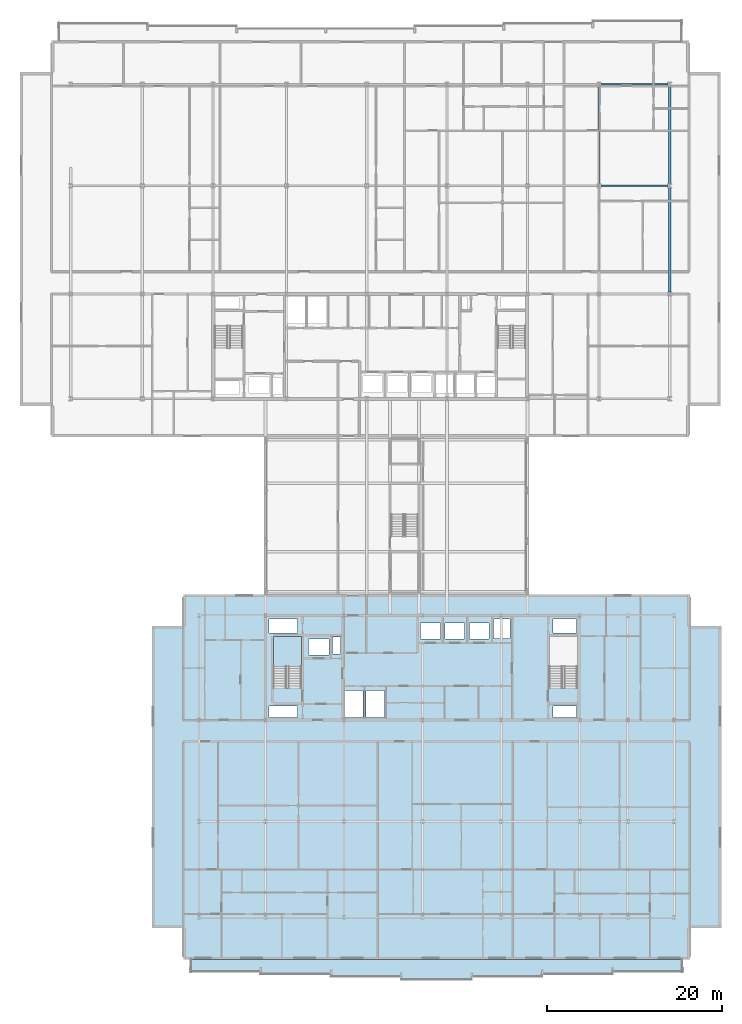
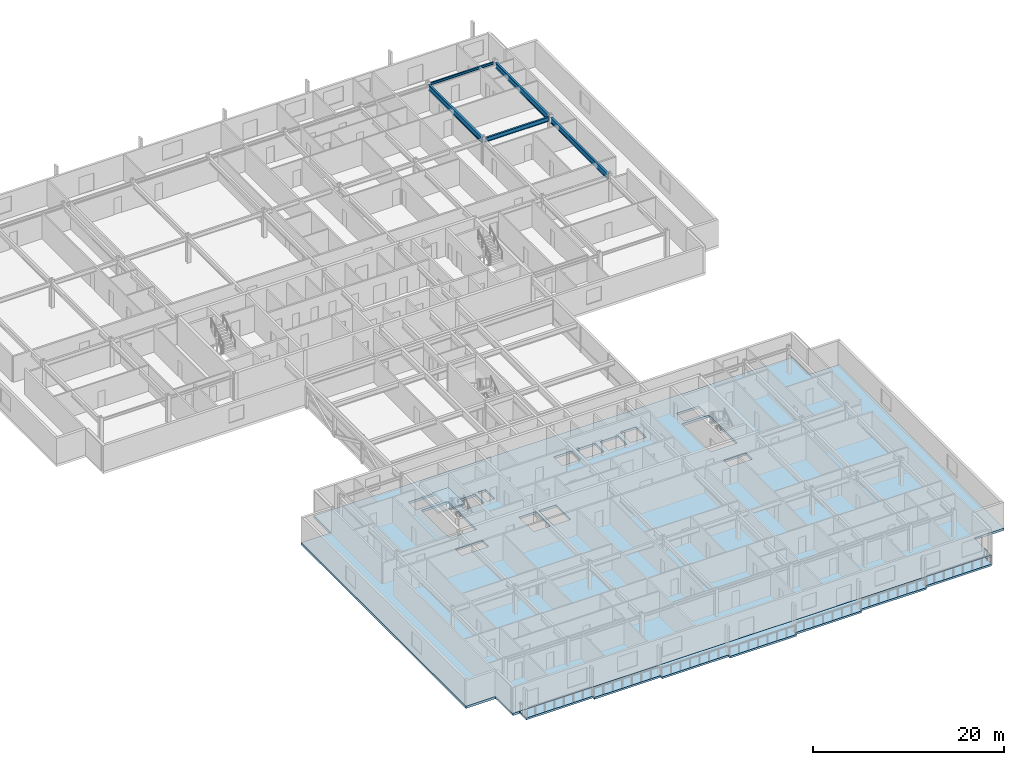
# One storey, part 14 of 36: 5 beams, 3 slabs, 1 element without a shape of its own.
"""IFC4 building model written with IfcOpenShell, lengths in metres."""

from ifc_helpers import new_model, si_unit, direction, frame, origin, origin_2d, place, context, subcontext, project, spatial, polyline, i_section, outline, extrude, material, layer, layer_set, material_profile, profile_set, type_object, element, aggregate, save


model = new_model("IFC4")

# Units and contexts
model_context = context("Model", 3, precision=1e-05, world=origin(), true_north=direction((0.0, 1.0)))
body_context = subcontext(model_context, "Body", "Model", "MODEL_VIEW")
ifc_project = project(units=[si_unit("LENGTHUNIT", "METRE"), si_unit("AREAUNIT", "SQUARE_METRE"), si_unit("VOLUMEUNIT", "CUBIC_METRE"), si_unit("PLANEANGLEUNIT", "RADIAN"), si_unit("MASSUNIT", "GRAM", prefix="KILO")], contexts=[model_context])

# Site, building, storey
site_placement = place(None, origin())
site = spatial("IfcSite", under=ifc_project, at=site_placement, CompositionType="ELEMENT")
building_placement = place(site_placement, origin())
building = spatial("IfcBuilding", under=site, at=building_placement, Name="Korimba Cascade Residences", CompositionType="ELEMENT")
storey_placement = place(building_placement, frame((0.0, 0.0, 139.300048828125)))
storey = spatial("IfcBuildingStorey", under=building, at=storey_placement, Name="L40", CompositionType="ELEMENT", Elevation=139.300048828125)

# Beams
ifc_material_1 = material(Name="Steel S355", Category="steel")
ifc_material_profile_1 = material_profile(ifc_material_1, i_section(OverallWidth=0.165771484375, OverallDepth=0.306640625, WebThickness=0.006591796875, FlangeThickness=0.01171875, FilletRadius=0.0087890625, at=origin_2d()), Name="Steel S355")
ifc_profile_set_1 = profile_set([ifc_material_profile_1], Name="Steel S355")
beam_type_1 = type_object("IfcBeamType", Name="BM-STL-UB305", PredefinedType="SPANDREL", material=ifc_profile_set_1)
beam_1_placement = place(storey_placement, frame((120.506103515625, 91.199951171875, 3.15673828125), z_axis=(1.0, 0.0, 0.0), x_axis=(0.0, 1.0, 0.0)))
element("IfcBeam", 1, at=beam_1_placement, inside=storey, type_object=beam_type_1, Name="L40 T1 E-W Girder Y4 Bay 8", PredefinedType="SPANDREL", context=body_context, shape_type="SweptSolid", body=[
    extrude(i_section(OverallWidth=0.165771484375, OverallDepth=0.306640625, WebThickness=0.006591796875, FlangeThickness=0.01171875, FilletRadius=0.0087890625, at=origin_2d()), origin(), (0.0, 0.0, 1.0), 7.687744140625),
])
ifc_material_profile_2 = material_profile(ifc_material_1, i_section(OverallWidth=0.2099609375, OverallDepth=0.53662109375, WebThickness=0.0107421875, FlangeThickness=0.017333984375, FilletRadius=0.0126953125, at=origin_2d()), Name="Steel S355")
ifc_profile_set_2 = profile_set([ifc_material_profile_2], Name="Steel S355")
beam_type_2 = type_object("IfcBeamType", Name="BM-STL-UB533", PredefinedType="BEAM", material=ifc_profile_set_2)
beam_2_placement = place(storey_placement, frame((120.506103515625, 79.60009765625, 3.041748046875), z_axis=(1.0, 0.0, 0.0), x_axis=(0.0, 1.0, 0.0)))
element("IfcBeam", 2, at=beam_2_placement, inside=storey, type_object=beam_type_2, Name="L40 T1 E-W Girder Y3 Bay 8", PredefinedType="BEAM", context=body_context, shape_type="SweptSolid", body=[
    extrude(i_section(OverallWidth=0.2099609375, OverallDepth=0.53662109375, WebThickness=0.0107421875, FlangeThickness=0.017333984375, FilletRadius=0.0126953125, at=origin_2d()), origin(), (0.0, 0.0, 1.0), 7.687744140625),
])
ifc_material_profile_3 = material_profile(ifc_material_1, i_section(OverallWidth=0.255859375, OverallDepth=0.69287109375, WebThickness=0.014404296875, FlangeThickness=0.023681640625, FilletRadius=0.01513671875, at=origin_2d()), Name="Steel S355")
ifc_profile_set_3 = profile_set([ifc_material_profile_3], Name="Steel S355")
beam_type_3 = type_object("IfcBeamType", Name="BM-STL-UB686", PredefinedType="BEAM", material=ifc_profile_set_3)
beam_3_placement = place(storey_placement, frame((120.300048828125, 79.818359375, 2.963623046875), z_axis=(0.0, 1.0, 0.0), x_axis=(-1.0, 0.0, 0.0)))
element("IfcBeam", 3, at=beam_3_placement, inside=storey, type_object=beam_type_3, Name="L40 T1 N-S Girder X8 Seg 3", PredefinedType="BEAM", context=body_context, shape_type="SweptSolid", body=[
    extrude(i_section(OverallWidth=0.255859375, OverallDepth=0.69287109375, WebThickness=0.014404296875, FlangeThickness=0.023681640625, FilletRadius=0.01513671875, at=origin_2d()), origin(), (0.0, 0.0, 1.0), 11.163330078125),
])
beam_4_placement = place(storey_placement, frame((128.39990234375, 67.418212890625, 2.963623046875), z_axis=(0.0, 1.0, 0.0), x_axis=(-1.0, 0.0, 0.0)))
element("IfcBeam", 4, at=beam_4_placement, inside=storey, type_object=beam_type_3, Name="L40 T1 N-S Girder X9 Seg 2", PredefinedType="BEAM", context=body_context, shape_type="SweptSolid", body=[
    extrude(i_section(OverallWidth=0.255859375, OverallDepth=0.69287109375, WebThickness=0.014404296875, FlangeThickness=0.023681640625, FilletRadius=0.01513671875, at=origin_2d()), origin(), (0.0, 0.0, 1.0), 11.96337890625),
])
beam_5_placement = place(storey_placement, frame((128.39990234375, 79.818359375, 2.963623046875), z_axis=(0.0, 1.0, 0.0), x_axis=(-1.0, 0.0, 0.0)))
element("IfcBeam", 5, at=beam_5_placement, inside=storey, type_object=beam_type_3, Name="L40 T1 N-S Girder X9 Seg 3", PredefinedType="BEAM", context=body_context, shape_type="SweptSolid", body=[
    extrude(i_section(OverallWidth=0.255859375, OverallDepth=0.69287109375, WebThickness=0.014404296875, FlangeThickness=0.023681640625, FilletRadius=0.01513671875, at=origin_2d()), origin(), (0.0, 0.0, 1.0), 11.163330078125),
])

# Stair, slab
ifc_material_2 = material(Name="Concrete C50/60", Category="concrete")
stair_type = type_object("IfcStairType", Name="STR-E1-20R-1800", PredefinedType="HALF_TURN_STAIR", material=ifc_material_2)
stair_placement = place(storey_placement, origin())
stair = element("IfcStair", 6, at=stair_placement, inside=storey, type_object=stair_type, Name="L40 Tower 2 West Fire Stair ST-E1", PredefinedType="HALF_TURN_STAIR")
ifc_layer_1 = layer(ifc_material_2, 0.199951171875)
ifc_layer_set_1 = layer_set([ifc_layer_1], Name="Concrete C50/60")
slab_type_1 = type_object("IfcSlabType", Name="SLB-LND-220", PredefinedType="LANDING", material=ifc_layer_set_1)
slab_1_placement = place(storey_placement, frame((0.0, 0.0, 1.599853515625)))
slab_1 = element("IfcSlab", 7, at=slab_1_placement, type_object=slab_type_1, Name="ST-E1 landing 1", PredefinedType="LANDING", context=body_context, shape_type="SweptSolid", body=[
    extrude(outline(polyline([(86.239990234375, 24.570068359375), (86.239990234375, 28.0), (83.0, 28.0), (83.0, 24.570068359375), (86.239990234375, 24.570068359375)])), origin(), (0.0, 0.0, 1.0), 0.2001953125),
])
aggregate(stair, [slab_1])

# Slabs
ifc_material_3 = material(Name="Precast concrete C40/50", Category="concrete")
ifc_layer_2 = layer(ifc_material_3, 0.239990234375)
ifc_layer_set_2 = layer_set([ifc_layer_2], Name="Precast concrete C40/50")
slab_type_2 = type_object("IfcSlabType", Name="SLB-LOG-240", PredefinedType="FLOOR", material=ifc_layer_set_2)
slab_2_placement = place(storey_placement, frame((0.0, 0.0, -0.239990234375)))
element("IfcSlab", 8, at=slab_2_placement, inside=storey, type_object=slab_type_2, Name="L40 Tower 2 South Loggia Slab", PredefinedType="FLOOR", context=body_context, shape_type="SweptSolid", body=[
    extrude(outline(polyline([(73.5, -10.449951171875), (81.55712890625, -10.449951171875), (81.55712890625, -10.75), (89.6142578125, -10.75), (89.6142578125, -11.050048828125), (97.67138671875, -11.050048828125), (97.67138671875, -11.35009765625), (105.728515625, -11.35009765625), (105.728515625, -11.050048828125), (113.78564453125, -11.050048828125), (113.78564453125, -10.75), (121.843017578125, -10.75), (121.843017578125, -10.449951171875), (129.89990234375, -10.449951171875), (129.89990234375, -9.0), (73.5, -9.0), (73.5, -10.449951171875)])), origin(), (0.0, 0.0, 1.0), 0.239990234375),
])
ifc_layer_3 = layer(ifc_material_2, 0.280029296875)
ifc_layer_set_3 = layer_set([ifc_layer_3], Name="Concrete C50/60")
slab_type_3 = type_object("IfcSlabType", Name="SLB-TYP-280", PredefinedType="FLOOR", material=ifc_layer_set_3)
slab_3_placement = place(storey_placement, frame((0.0, 0.0, -0.2900390625)))
element("IfcSlab", 9, at=slab_3_placement, inside=storey, type_object=slab_type_3, Name="L40 Tower 2 Floor Slab", PredefinedType="FLOOR", context=body_context, shape_type="SweptSolid", body=[
    extrude(outline(polyline([(72.699951171875, -9.0), (130.699951171875, -9.0), (130.699951171875, -5.39990234375), (134.300048828125, -5.39990234375), (134.300048828125, 29.199951171875), (130.699951171875, 29.199951171875), (130.699951171875, 32.800048828125), (72.699951171875, 32.800048828125), (72.699951171875, 29.199951171875), (69.10009765625, 29.199951171875), (69.10009765625, -5.39990234375), (72.699951171875, -5.39990234375), (72.699951171875, -9.0)]), holes=[polyline([(86.239990234375, 22.0849609375), (86.239990234375, 28.0), (83.0, 28.0), (83.0, 22.0849609375), (86.239990234375, 22.0849609375)]), polyline([(117.840087890625, 22.0849609375), (117.840087890625, 28.0), (114.60009765625, 28.0), (114.60009765625, 22.0849609375), (117.840087890625, 22.0849609375)]), polyline([(87.030029296875, 25.8798828125), (89.3701171875, 25.8798828125), (89.3701171875, 27.719970703125), (87.030029296875, 27.719970703125), (87.030029296875, 25.8798828125)]), polyline([(99.8798828125, 27.679931640625), (102.1201171875, 27.679931640625), (102.1201171875, 29.52001953125), (99.8798828125, 29.52001953125), (99.8798828125, 27.679931640625)]), polyline([(102.679931640625, 27.679931640625), (104.919921875, 27.679931640625), (104.919921875, 29.52001953125), (102.679931640625, 29.52001953125), (102.679931640625, 27.679931640625)]), polyline([(105.47998046875, 27.679931640625), (107.719970703125, 27.679931640625), (107.719970703125, 29.52001953125), (105.47998046875, 29.52001953125), (105.47998046875, 27.679931640625)]), polyline([(89.780029296875, 25.97998046875), (90.719970703125, 25.97998046875), (90.719970703125, 27.919921875), (89.780029296875, 27.919921875), (89.780029296875, 25.97998046875)]), polyline([(82.530029296875, 18.72998046875), (85.800048828125, 18.72998046875), (85.800048828125, 20.0400390625), (82.530029296875, 20.0400390625), (82.530029296875, 18.72998046875)]), polyline([(82.530029296875, 28.360107421875), (85.800048828125, 28.360107421875), (85.800048828125, 29.969970703125), (82.530029296875, 29.969970703125), (82.530029296875, 28.360107421875)]), polyline([(108.22998046875, 27.780029296875), (110.1201171875, 27.780029296875), (110.1201171875, 29.969970703125), (108.22998046875, 29.969970703125), (108.22998046875, 27.780029296875)]), polyline([(91.22998046875, 18.72998046875), (93.27001953125, 18.72998046875), (93.27001953125, 21.780029296875), (91.22998046875, 21.780029296875), (91.22998046875, 18.72998046875)]), polyline([(93.6298828125, 18.72998046875), (95.719970703125, 18.72998046875), (95.719970703125, 21.780029296875), (93.6298828125, 21.780029296875), (93.6298828125, 18.72998046875)]), polyline([(115.02001953125, 18.72998046875), (117.739990234375, 18.72998046875), (117.739990234375, 20.0400390625), (115.02001953125, 20.0400390625), (115.02001953125, 18.72998046875)]), polyline([(115.02001953125, 28.360107421875), (117.739990234375, 28.360107421875), (117.739990234375, 29.969970703125), (115.02001953125, 29.969970703125), (115.02001953125, 28.360107421875)])]), origin(), (0.0, 0.0, 1.0), 0.2900390625),
])

save(model, "model.ifc")
